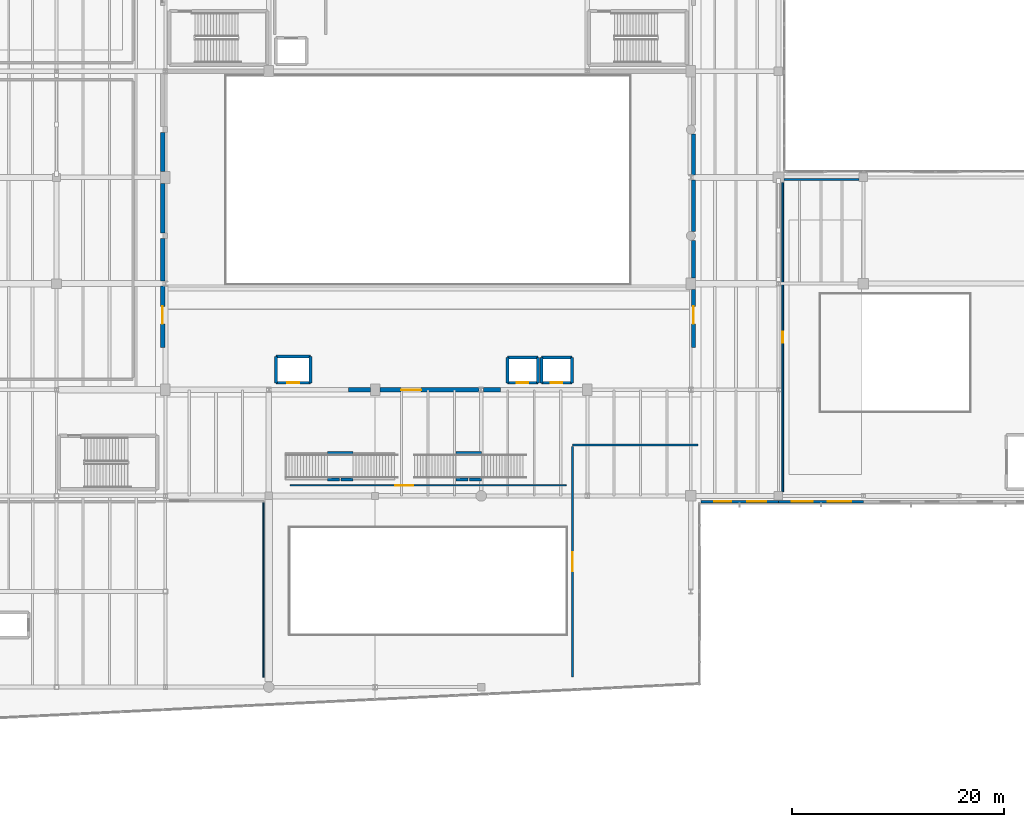
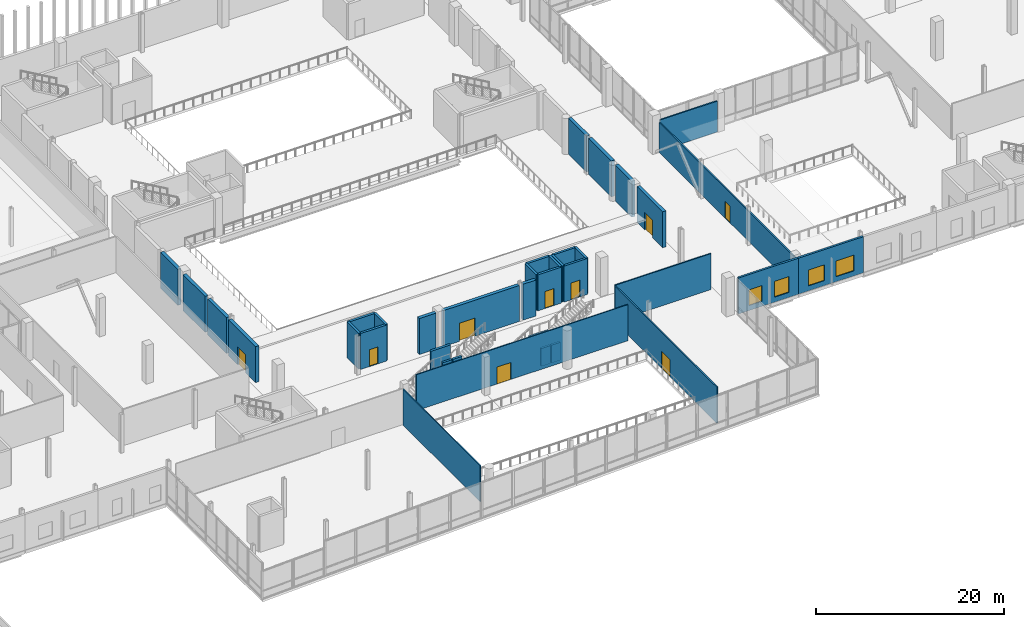
# One storey, part 60 of 81: 37 walls, 9 doors, 4 windows, 13 openings.
"""IFC4 building model written with IfcOpenShell, lengths in metres."""

from ifc_helpers import new_model, si_unit, direction, frame, frame_2d, origin, place, context, subcontext, project, spatial, rectangle, extrude, material, layer, layer_set, type_object, element, fill, save


model = new_model("IFC4")

# Units and contexts
model_context = context("Model", 3, precision=1e-05, world=origin(), true_north=direction((0.0, 1.0)))
body_context = subcontext(model_context, "Body", "Model", "MODEL_VIEW")
ifc_project = project(units=[si_unit("LENGTHUNIT", "METRE"), si_unit("AREAUNIT", "SQUARE_METRE"), si_unit("VOLUMEUNIT", "CUBIC_METRE"), si_unit("PLANEANGLEUNIT", "RADIAN"), si_unit("MASSUNIT", "GRAM", prefix="KILO")], contexts=[model_context])

# Site, building, storey
site_placement = place(None, origin())
site = spatial("IfcSite", under=ifc_project, at=site_placement, CompositionType="ELEMENT")
building_placement = place(site_placement, origin())
building = spatial("IfcBuilding", under=site, at=building_placement, Name="Trimount Lyric Opera House", CompositionType="ELEMENT")
storey_placement = place(building_placement, frame((0.0, 0.0, 5.0)))
storey = spatial("IfcBuildingStorey", under=building, at=storey_placement, Name="L01", CompositionType="ELEMENT", Elevation=5.0)

# Wall
ifc_material_1 = material(Name="Gypsum Board Partition")
ifc_layer_1 = layer(ifc_material_1, 0.1201171875)
ifc_layer_set_1 = layer_set([ifc_layer_1], Name="WL-PT120")
wall_type_1 = type_object("IfcWallType", Name="WL-PT120", PredefinedType="PARTITIONING", material=ifc_layer_set_1)
wall_1_placement = place(storey_placement, frame((73.5, 26.919921875, 0.0), z_axis=(0.0, 0.0, 1.0), x_axis=(0.0, 1.0, 0.0)))
element("IfcWall", 1, at=wall_1_placement, inside=storey, type_object=wall_type_1, Name="L01 Atrium Champagne Bar E partition", PredefinedType="PARTITIONING", context=body_context, shape_type="SweptSolid", body=[
    extrude(rectangle(XDim=16.4599609375, YDim=0.1201171875, at=frame_2d((8.22998046875, 0.0))), origin(), (0.0, 0.0, 1.0), 4.679931640625),
])

# Wall, opening, door
wall_2_placement = place(storey_placement, frame((102.0, 45.0, 0.0), z_axis=(0.0, 0.0, 1.0), x_axis=(-1.0, 0.0, 0.0)))
wall_2 = element("IfcWall", 2, at=wall_2_placement, inside=storey, type_object=wall_type_1, Name="L01 Parterre Overlook Gallery N partition", PredefinedType="PARTITIONING", context=body_context, shape_type="SweptSolid", body=[
    extrude(rectangle(XDim=26.0, YDim=0.1201171875, at=frame_2d((13.0, 0.0))), origin(), (0.0, 0.0, 1.0), 4.679931640625),
])
opening_1_placement = place(wall_2_placement, frame((14.389892578125, 0.0, 0.0)))
opening_1 = element("IfcOpeningElement", 3, at=opening_1_placement, cuts=wall_2, Name="Opening DT-COR2", PredefinedType="OPENING", context=body_context, shape_type="SweptSolid", body=[
    extrude(rectangle(XDim=1.699951171875, YDim=2.199951171875, at=frame_2d((0.85009765625, 1.10009765625))), frame((0.0, 0.070068359375, 0.0), z_axis=(0.0, -1.0, 0.0), x_axis=(1.0, 0.0, 0.0)), (0.0, 0.0, 1.0), 0.14013671875),
])
ifc_material_2 = material(Name="Solid Core White Oak")
door_type_1 = type_object("IfcDoorType", Name="DT-COR2", OperationType="DOUBLE_DOOR_SINGLE_SWING", PredefinedType="DOOR", material=ifc_material_2)
door_1_placement = place(opening_1_placement, origin())
door_1 = element("IfcDoor", 4, at=door_1_placement, inside=storey, type_object=door_type_1, Name="D-203", OperationType="DOUBLE_DOOR_SINGLE_SWING", OverallHeight=2.199951171875, OverallWidth=1.699951171875, PredefinedType="DOOR", context=body_context, shape_type="SweptSolid", body=[
    extrude(rectangle(XDim=1.699951171875, YDim=2.199951171875, at=frame_2d((0.85009765625, 1.10009765625))), frame((0.0, 0.02490234375, 0.0), z_axis=(0.0, -1.0, 0.0), x_axis=(1.0, 0.0, 0.0)), (0.0, 0.0, 1.0), 0.050048828125),
])
fill(opening_1, door_1)

# Wall
ifc_material_3 = material(Name="Fire-Rated Gypsum Board Partition")
ifc_layer_2 = layer(ifc_material_3, 0.14990234375)
ifc_layer_set_2 = layer_set([ifc_layer_2], Name="WL-PT150")
wall_type_2 = type_object("IfcWallType", Name="WL-PT150", PredefinedType="PARTITIONING", material=ifc_layer_set_2)
wall_3_placement = place(storey_placement, frame((114.39990234375, 48.800048828125, 0.0), z_axis=(0.0, 0.0, 1.0), x_axis=(-1.0, 0.0, 0.0)))
element("IfcWall", 5, at=wall_3_placement, inside=storey, type_object=wall_type_2, Name="L01 Founders' Patron Salon N partition", PredefinedType="PARTITIONING", context=body_context, shape_type="SweptSolid", body=[
    extrude(rectangle(XDim=11.7998046875, YDim=0.14990234375, at=frame_2d((5.89990234375, 0.0))), origin(), (0.0, 0.0, 1.0), 4.679931640625),
])

# Wall, opening, door
wall_4_placement = place(storey_placement, frame((102.60009765625, 48.64990234375, 0.0), z_axis=(0.0, 0.0, 1.0), x_axis=(0.0, -1.0, 0.0)))
wall_4 = element("IfcWall", 6, at=wall_4_placement, inside=storey, type_object=wall_type_2, Name="L01 Founders' Patron Salon W partition", PredefinedType="PARTITIONING", context=body_context, shape_type="SweptSolid", body=[
    extrude(rectangle(XDim=21.699951171875, YDim=0.14990234375, at=frame_2d((10.85009765625, 0.0))), origin(), (0.0, 0.0, 1.0), 4.679931640625),
])
opening_2_placement = place(wall_4_placement, frame((9.97509765625, 0.0, 0.0)))
opening_2 = element("IfcOpeningElement", 7, at=opening_2_placement, cuts=wall_4, Name="Opening DT-COR1", PredefinedType="OPENING", context=body_context, shape_type="SweptSolid", body=[
    extrude(rectangle(XDim=1.75, YDim=2.199951171875, at=frame_2d((0.875, 1.10009765625))), frame((0.0, 0.0849609375, 0.0), z_axis=(0.0, -1.0, 0.0), x_axis=(1.0, 0.0, 0.0)), (0.0, 0.0, 1.0), 0.169921875),
])
ifc_material_4 = material(Name="Fire-Rated Timber Veneer", Category="wood")
door_type_2 = type_object("IfcDoorType", Name="DT-COR1", OperationType="DOUBLE_DOOR_SINGLE_SWING", PredefinedType="DOOR", material=ifc_material_4)
door_2_placement = place(opening_2_placement, origin())
door_2 = element("IfcDoor", 8, at=door_2_placement, inside=storey, type_object=door_type_2, Name="D-196", OperationType="DOUBLE_DOOR_SINGLE_SWING", OverallHeight=2.199951171875, OverallWidth=1.75, PredefinedType="DOOR", context=body_context, shape_type="SweptSolid", body=[
    extrude(rectangle(XDim=1.75, YDim=2.199951171875, at=frame_2d((0.875, 1.10009765625))), frame((0.0, 0.02490234375, 0.0), z_axis=(0.0, -1.0, 0.0), x_axis=(1.0, 0.0, 0.0)), (0.0, 0.0, 1.0), 0.050048828125),
])
fill(opening_2, door_2)

# Wall
ifc_material_5 = material(Name="Acoustic Double-Stud Gypsum Board")
ifc_layer_3 = layer(ifc_material_5, 0.1650390625)
ifc_layer_set_3 = layer_set([ifc_layer_3], Name="WL-PT165")
wall_type_3 = type_object("IfcWallType", Name="WL-PT165", PredefinedType="PARTITIONING", material=ifc_layer_set_3)
wall_5_placement = place(storey_placement, frame((129.60009765625, 73.800048828125, 0.0), z_axis=(0.0, 0.0, 1.0), x_axis=(-1.0, 0.0, 0.0)))
element("IfcWall", 9, at=wall_5_placement, inside=storey, type_object=wall_type_3, Name="L01 Properties & Sculpture Workshop N partition", PredefinedType="PARTITIONING", context=body_context, shape_type="SweptSolid", body=[
    extrude(rectangle(XDim=7.10009765625, YDim=0.1650390625, at=frame_2d((3.550048828125, 0.0))), origin(), (0.0, 0.0, 1.0), 4.010009765625),
])

# Wall, opening, door
wall_6_placement = place(storey_placement, frame((122.39990234375, 73.5, 0.0), z_axis=(0.0, 0.0, 1.0), x_axis=(0.0, -1.0, 0.0)))
wall_6 = element("IfcWall", 10, at=wall_6_placement, inside=storey, type_object=wall_type_3, Name="L01 Properties & Sculpture Workshop W partition", PredefinedType="PARTITIONING", context=body_context, shape_type="SweptSolid", body=[
    extrude(rectangle(XDim=29.10009765625, YDim=0.1650390625, at=frame_2d((14.550048828125, 0.0))), origin(), (0.0, 0.0, 1.0), 3.909912109375),
])
opening_3_placement = place(wall_6_placement, frame((14.02490234375, 0.0, 0.0)))
opening_3 = element("IfcOpeningElement", 11, at=opening_3_placement, cuts=wall_6, Name="Opening DT-RM3", PredefinedType="OPENING", context=body_context, shape_type="SweptSolid", body=[
    extrude(rectangle(XDim=1.050048828125, YDim=2.199951171875, at=frame_2d((0.52490234375, 1.10009765625))), frame((0.0, 0.092529296875, 0.0), z_axis=(0.0, -1.0, 0.0), x_axis=(1.0, 0.0, 0.0)), (0.0, 0.0, 1.0), 0.18505859375),
])
ifc_material_6 = material(Name="Solid Core White Oak")
door_type_3 = type_object("IfcDoorType", Name="DT-RM3", OperationType="NOTDEFINED", PredefinedType="DOOR", material=ifc_material_6)
door_3_placement = place(opening_3_placement, origin())
door_3 = element("IfcDoor", 12, at=door_3_placement, inside=storey, type_object=door_type_3, Name="D-204", OperationType="SINGLE_SWING_RIGHT", OverallHeight=2.199951171875, OverallWidth=1.050048828125, PredefinedType="DOOR", context=body_context, shape_type="SweptSolid", body=[
    extrude(rectangle(XDim=1.050048828125, YDim=2.199951171875, at=frame_2d((0.52490234375, 1.10009765625))), frame((0.0, 0.02490234375, 0.0), z_axis=(0.0, -1.0, 0.0), x_axis=(1.0, 0.0, 0.0)), (0.0, 0.0, 1.0), 0.050048828125),
])
fill(opening_3, door_3)

# Walls
ifc_material_7 = material(Name="Concrete C40/50", Category="concrete")
ifc_layer_4 = layer(ifc_material_7, 0.280029296875)
ifc_layer_set_4 = layer_set([ifc_layer_4], Name="WL-SH280")
wall_type_4 = type_object("IfcWallType", Name="WL-SH280", PredefinedType="SHEAR", material=ifc_layer_set_4)
for number, where, z_axis, x_axis, name in (
    (13, (79.52001953125, 45.56494140625, 0.0), (0.0, 0.0, 1.0), (1.0, 0.0, 0.0), "Concourse Roof-Garden Gallery Stair L01 landing fin pier SL"),
    (14, (80.780029296875, 45.56494140625, 0.0), (0.0, 0.0, 1.0), (1.0, 0.0, 0.0), "Concourse Roof-Garden Gallery Stair L01 landing fin pier SR"),
):
    element("IfcWall", number, at=place(storey_placement, frame(where, z_axis=z_axis, x_axis=x_axis)), inside=storey, type_object=wall_type_4, Name=name, PredefinedType="SHEAR", context=body_context, shape_type="SweptSolid", body=[
        extrude(rectangle(XDim=1.139892578125, YDim=0.280029296875, at=frame_2d((0.56982421875, 0.0))), origin(), (0.0, 0.0, 1.0), 4.699951171875),
    ])
wall_7_placement = place(storey_placement, frame((79.52001953125, 48.034912109375, 0.0), z_axis=(0.0, 0.0, 1.0), x_axis=(1.0, 0.0, 0.0)))
element("IfcWall", 15, at=wall_7_placement, inside=storey, type_object=wall_type_4, Name="Concourse Roof-Garden Gallery Stair L01 landing fin pier N", PredefinedType="SHEAR", context=body_context, shape_type="SweptSolid", body=[
    extrude(rectangle(XDim=2.39990234375, YDim=0.280029296875, at=frame_2d((1.199951171875, 0.0))), origin(), (0.0, 0.0, 1.0), 4.699951171875),
])
wall_8_placement = place(storey_placement, frame((91.6201171875, 45.56494140625, 0.0), z_axis=(0.0, 0.0, 1.0), x_axis=(1.0, 0.0, 0.0)))
element("IfcWall", 16, at=wall_8_placement, inside=storey, type_object=wall_type_4, Name="Winter-Garden East Promenade Stair L01 landing fin pier SL", PredefinedType="SHEAR", context=body_context, shape_type="SweptSolid", body=[
    extrude(rectangle(XDim=1.139892578125, YDim=0.280029296875, at=frame_2d((0.56982421875, 0.0))), origin(), (0.0, 0.0, 1.0), 2.300048828125),
])
wall_9_placement = place(storey_placement, frame((92.8798828125, 45.56494140625, 0.0), z_axis=(0.0, 0.0, 1.0), x_axis=(1.0, 0.0, 0.0)))
element("IfcWall", 17, at=wall_9_placement, inside=storey, type_object=wall_type_4, Name="Winter-Garden East Promenade Stair L01 landing fin pier SR", PredefinedType="SHEAR", context=body_context, shape_type="SweptSolid", body=[
    extrude(rectangle(XDim=1.14013671875, YDim=0.280029296875, at=frame_2d((0.570068359375, 0.0))), origin(), (0.0, 0.0, 1.0), 2.300048828125),
])
wall_10_placement = place(storey_placement, frame((91.6201171875, 48.034912109375, 0.0), z_axis=(0.0, 0.0, 1.0), x_axis=(1.0, 0.0, 0.0)))
element("IfcWall", 18, at=wall_10_placement, inside=storey, type_object=wall_type_4, Name="Winter-Garden East Promenade Stair L01 landing fin pier N", PredefinedType="SHEAR", context=body_context, shape_type="SweptSolid", body=[
    extrude(rectangle(XDim=2.39990234375, YDim=0.280029296875, at=frame_2d((1.199951171875, 0.0))), origin(), (0.0, 0.0, 1.0), 2.300048828125),
])

# Wall, opening, door
wall_11_placement = place(storey_placement, frame((74.659912109375, 54.659912109375, 0.0), z_axis=(0.0, 0.0, 1.0), x_axis=(1.0, 0.0, 0.0)))
wall_11 = element("IfcWall", 19, at=wall_11_placement, inside=storey, type_object=wall_type_4, Name="Lift LF-02 L01 south shaft wall", PredefinedType="SHEAR", context=body_context, shape_type="SweptSolid", body=[
    extrude(rectangle(XDim=3.280029296875, YDim=0.280029296875, at=frame_2d((1.64013671875, 0.0))), origin(), (0.0, 0.0, 1.0), 4.675048828125),
])
opening_4_placement = place(wall_11_placement, frame((1.090087890625, 0.0, 0.0)))
opening_4 = element("IfcOpeningElement", 20, at=opening_4_placement, cuts=wall_11, Name="Opening DT-LD1", PredefinedType="OPENING", context=body_context, shape_type="SweptSolid", body=[
    extrude(rectangle(XDim=1.10009765625, YDim=2.199951171875, at=frame_2d((0.550048828125, 1.10009765625))), frame((0.0, 0.14990234375, 0.0), z_axis=(0.0, -1.0, 0.0), x_axis=(1.0, 0.0, 0.0)), (0.0, 0.0, 1.0), 0.300048828125),
])
ifc_material_8 = material(Name="Brushed Stainless Steel", Category="steel")
door_type_4 = type_object("IfcDoorType", Name="DT-LD1", OperationType="SLIDING_TO_LEFT", PredefinedType="DOOR", material=ifc_material_8)
door_4_placement = place(opening_4_placement, origin())
door_4 = element("IfcDoor", 21, at=door_4_placement, inside=storey, type_object=door_type_4, Name="D-075", OperationType="SLIDING_TO_LEFT", OverallHeight=2.199951171875, OverallWidth=1.10009765625, PredefinedType="DOOR", context=body_context, shape_type="SweptSolid", body=[
    extrude(rectangle(XDim=1.10009765625, YDim=2.199951171875, at=frame_2d((0.550048828125, 1.10009765625))), frame((0.0, 0.02490234375, 0.0), z_axis=(0.0, -1.0, 0.0), x_axis=(1.0, 0.0, 0.0)), (0.0, 0.0, 1.0), 0.050048828125),
])
fill(opening_4, door_4)

# Walls
wall_12_placement = place(storey_placement, frame((77.93994140625, 57.139892578125, 0.0), z_axis=(0.0, 0.0, 1.0), x_axis=(-1.0, 0.0, 0.0)))
element("IfcWall", 22, at=wall_12_placement, inside=storey, type_object=wall_type_4, Name="Lift LF-02 L01 north shaft wall", PredefinedType="SHEAR", context=body_context, shape_type="SweptSolid", body=[
    extrude(rectangle(XDim=3.280029296875, YDim=0.280029296875, at=frame_2d((1.64013671875, 0.0))), origin(), (0.0, 0.0, 1.0), 4.675048828125),
])
for number, where, z_axis, x_axis, name in (
    (23, (74.659912109375, 57.139892578125, 0.0), (0.0, 0.0, 1.0), (0.0, -1.0, 0.0), "Lift LF-02 L01 west shaft wall"),
    (24, (77.93994140625, 54.659912109375, 0.0), (0.0, 0.0, 1.0), (0.0, 1.0, 0.0), "Lift LF-02 L01 east shaft wall"),
):
    element("IfcWall", number, at=place(storey_placement, frame(where, z_axis=z_axis, x_axis=x_axis)), inside=storey, type_object=wall_type_4, Name=name, PredefinedType="SHEAR", context=body_context, shape_type="SweptSolid", body=[
        extrude(rectangle(XDim=2.47998046875, YDim=0.280029296875, at=frame_2d((1.239990234375, 0.0))), origin(), (0.0, 0.0, 1.0), 4.675048828125),
    ])

# Wall, opening, door
wall_13_placement = place(storey_placement, frame((96.4599609375, 54.659912109375, 0.0), z_axis=(0.0, 0.0, 1.0), x_axis=(1.0, 0.0, 0.0)))
wall_13 = element("IfcWall", 25, at=wall_13_placement, inside=storey, type_object=wall_type_4, Name="Lift LF-03 L01 south shaft wall", PredefinedType="SHEAR", context=body_context, shape_type="SweptSolid", body=[
    extrude(rectangle(XDim=2.880126953125, YDim=0.280029296875, at=frame_2d((1.43994140625, 0.0))), origin(), (0.0, 0.0, 1.0), 4.675048828125),
])
opening_5_placement = place(wall_13_placement, frame((0.889892578125, 0.0, 0.0)))
opening_5 = element("IfcOpeningElement", 26, at=opening_5_placement, cuts=wall_13, Name="Opening DT-LD1", PredefinedType="OPENING", context=body_context, shape_type="SweptSolid", body=[
    extrude(rectangle(XDim=1.10009765625, YDim=2.199951171875, at=frame_2d((0.550048828125, 1.10009765625))), frame((0.0, 0.14990234375, 0.0), z_axis=(0.0, -1.0, 0.0), x_axis=(1.0, 0.0, 0.0)), (0.0, 0.0, 1.0), 0.300048828125),
])
door_5_placement = place(opening_5_placement, origin())
door_5 = element("IfcDoor", 27, at=door_5_placement, inside=storey, type_object=door_type_4, Name="D-081", OperationType="SLIDING_TO_LEFT", OverallHeight=2.199951171875, OverallWidth=1.10009765625, PredefinedType="DOOR", context=body_context, shape_type="SweptSolid", body=[
    extrude(rectangle(XDim=1.10009765625, YDim=2.199951171875, at=frame_2d((0.550048828125, 1.10009765625))), frame((0.0, 0.02490234375, 0.0), z_axis=(0.0, -1.0, 0.0), x_axis=(1.0, 0.0, 0.0)), (0.0, 0.0, 1.0), 0.050048828125),
])
fill(opening_5, door_5)

# Walls
wall_14_placement = place(storey_placement, frame((99.340087890625, 57.0400390625, 0.0), z_axis=(0.0, 0.0, 1.0), x_axis=(-1.0, 0.0, 0.0)))
element("IfcWall", 28, at=wall_14_placement, inside=storey, type_object=wall_type_4, Name="Lift LF-03 L01 north shaft wall", PredefinedType="SHEAR", context=body_context, shape_type="SweptSolid", body=[
    extrude(rectangle(XDim=2.880126953125, YDim=0.280029296875, at=frame_2d((1.43994140625, 0.0))), origin(), (0.0, 0.0, 1.0), 4.675048828125),
])
for number, where, z_axis, x_axis, name in (
    (29, (96.4599609375, 57.0400390625, 0.0), (0.0, 0.0, 1.0), (0.0, -1.0, 0.0), "Lift LF-03 L01 west shaft wall"),
    (30, (99.340087890625, 54.659912109375, 0.0), (0.0, 0.0, 1.0), (0.0, 1.0, 0.0), "Lift LF-03 L01 east shaft wall"),
):
    element("IfcWall", number, at=place(storey_placement, frame(where, z_axis=z_axis, x_axis=x_axis)), inside=storey, type_object=wall_type_4, Name=name, PredefinedType="SHEAR", context=body_context, shape_type="SweptSolid", body=[
        extrude(rectangle(XDim=2.380126953125, YDim=0.280029296875, at=frame_2d((1.18994140625, 0.0))), origin(), (0.0, 0.0, 1.0), 4.675048828125),
    ])

# Wall, opening, door
wall_15_placement = place(storey_placement, frame((99.659912109375, 54.659912109375, 0.0), z_axis=(0.0, 0.0, 1.0), x_axis=(1.0, 0.0, 0.0)))
wall_15 = element("IfcWall", 31, at=wall_15_placement, inside=storey, type_object=wall_type_4, Name="Lift LF-04 L01 south shaft wall", PredefinedType="SHEAR", context=body_context, shape_type="SweptSolid", body=[
    extrude(rectangle(XDim=2.880126953125, YDim=0.280029296875, at=frame_2d((1.43994140625, 0.0))), origin(), (0.0, 0.0, 1.0), 4.675048828125),
])
opening_6_placement = place(wall_15_placement, frame((0.889892578125, 0.0, 0.0)))
opening_6 = element("IfcOpeningElement", 32, at=opening_6_placement, cuts=wall_15, Name="Opening DT-LD1", PredefinedType="OPENING", context=body_context, shape_type="SweptSolid", body=[
    extrude(rectangle(XDim=1.10009765625, YDim=2.199951171875, at=frame_2d((0.550048828125, 1.10009765625))), frame((0.0, 0.14990234375, 0.0), z_axis=(0.0, -1.0, 0.0), x_axis=(1.0, 0.0, 0.0)), (0.0, 0.0, 1.0), 0.300048828125),
])
door_6_placement = place(opening_6_placement, origin())
door_6 = element("IfcDoor", 33, at=door_6_placement, inside=storey, type_object=door_type_4, Name="D-087", OperationType="SLIDING_TO_LEFT", OverallHeight=2.199951171875, OverallWidth=1.10009765625, PredefinedType="DOOR", context=body_context, shape_type="SweptSolid", body=[
    extrude(rectangle(XDim=1.10009765625, YDim=2.199951171875, at=frame_2d((0.550048828125, 1.10009765625))), frame((0.0, 0.02490234375, 0.0), z_axis=(0.0, -1.0, 0.0), x_axis=(1.0, 0.0, 0.0)), (0.0, 0.0, 1.0), 0.050048828125),
])
fill(opening_6, door_6)

# Walls
wall_16_placement = place(storey_placement, frame((102.5400390625, 57.0400390625, 0.0), z_axis=(0.0, 0.0, 1.0), x_axis=(-1.0, 0.0, 0.0)))
element("IfcWall", 34, at=wall_16_placement, inside=storey, type_object=wall_type_4, Name="Lift LF-04 L01 north shaft wall", PredefinedType="SHEAR", context=body_context, shape_type="SweptSolid", body=[
    extrude(rectangle(XDim=2.880126953125, YDim=0.280029296875, at=frame_2d((1.43994140625, 0.0))), origin(), (0.0, 0.0, 1.0), 4.675048828125),
])
for number, where, z_axis, x_axis, name in (
    (35, (99.659912109375, 57.0400390625, 0.0), (0.0, 0.0, 1.0), (0.0, -1.0, 0.0), "Lift LF-04 L01 west shaft wall"),
    (36, (102.5400390625, 54.659912109375, 0.0), (0.0, 0.0, 1.0), (0.0, 1.0, 0.0), "Lift LF-04 L01 east shaft wall"),
):
    element("IfcWall", number, at=place(storey_placement, frame(where, z_axis=z_axis, x_axis=x_axis)), inside=storey, type_object=wall_type_4, Name=name, PredefinedType="SHEAR", context=body_context, shape_type="SweptSolid", body=[
        extrude(rectangle(XDim=2.380126953125, YDim=0.280029296875, at=frame_2d((1.18994140625, 0.0))), origin(), (0.0, 0.0, 1.0), 4.675048828125),
    ])

# Wall, opening, door
ifc_material_9 = material(Name="Concrete C40/50", Category="concrete")
ifc_layer_5 = layer(ifc_material_9, 0.39990234375)
ifc_layer_set_5 = layer_set([ifc_layer_5], Name="WL-SH400")
wall_type_5 = type_object("IfcWallType", Name="WL-SH400", PredefinedType="SHEAR", material=ifc_layer_set_5)
wall_17_placement = place(storey_placement, frame((64.0, 58.0, 0.0), z_axis=(0.0, 0.0, 1.0), x_axis=(0.0, 1.0, 0.0)))
wall_17 = element("IfcWall", 37, at=wall_17_placement, inside=storey, type_object=wall_type_5, Name="L01 auditorium west acoustic shear wall", PredefinedType="SHEAR", context=body_context, shape_type="SweptSolid", body=[
    extrude(rectangle(XDim=5.767578125, YDim=0.39990234375, at=frame_2d((2.8837890625, 0.0))), origin(), (0.0, 0.0, 1.0), 4.675048828125),
])
opening_7_placement = place(wall_17_placement, frame((2.199951171875, 0.0, 0.0)))
opening_7 = element("IfcOpeningElement", 38, at=opening_7_placement, cuts=wall_17, Name="Opening DT-AUD2", PredefinedType="OPENING", context=body_context, shape_type="SweptSolid", body=[
    extrude(rectangle(XDim=1.64990234375, YDim=2.300048828125, at=frame_2d((0.824951171875, 1.14990234375))), frame((0.0, 0.2099609375, 0.0), z_axis=(0.0, -1.0, 0.0), x_axis=(1.0, 0.0, 0.0)), (0.0, 0.0, 1.0), 0.419921875),
])
ifc_material_10 = material(Name="Solid White Oak Acoustic")
door_type_5 = type_object("IfcDoorType", Name="DT-AUD2", OperationType="DOUBLE_DOOR_SINGLE_SWING", PredefinedType="DOOR", material=ifc_material_10)
door_7_placement = place(opening_7_placement, origin())
door_7 = element("IfcDoor", 39, at=door_7_placement, inside=storey, type_object=door_type_5, Name="D-123", OperationType="DOUBLE_DOOR_SINGLE_SWING", OverallHeight=2.300048828125, OverallWidth=1.64990234375, PredefinedType="DOOR", context=body_context, shape_type="SweptSolid", body=[
    extrude(rectangle(XDim=1.64990234375, YDim=2.300048828125, at=frame_2d((0.824951171875, 1.14990234375))), frame((0.0, 0.02490234375, 0.0), z_axis=(0.0, -1.0, 0.0), x_axis=(1.0, 0.0, 0.0)), (0.0, 0.0, 1.0), 0.050048828125),
])
fill(opening_7, door_7)

# Walls
wall_18_placement = place(storey_placement, frame((64.0, 64.232421875, 0.0), z_axis=(0.0, 0.0, 1.0), x_axis=(0.0, 1.0, 0.0)))
element("IfcWall", 40, at=wall_18_placement, inside=storey, type_object=wall_type_5, Name="L01 auditorium west acoustic shear wall", PredefinedType="SHEAR", context=body_context, shape_type="SweptSolid", body=[
    extrude(rectangle(XDim=3.99267578125, YDim=0.39990234375, at=frame_2d((1.996337890625, 0.0))), origin(), (0.0, 0.0, 1.0), 4.675048828125),
])
wall_19_placement = place(storey_placement, frame((64.0, 68.77490234375, 0.0), z_axis=(0.0, 0.0, 1.0), x_axis=(0.0, 1.0, 0.0)))
element("IfcWall", 41, at=wall_19_placement, inside=storey, type_object=wall_type_5, Name="L01 auditorium west acoustic shear wall", PredefinedType="SHEAR", context=body_context, shape_type="SweptSolid", body=[
    extrude(rectangle(XDim=4.675048828125, YDim=0.39990234375, at=frame_2d((2.33740234375, 0.0))), origin(), (0.0, 0.0, 1.0), 4.675048828125),
])
wall_20_placement = place(storey_placement, frame((64.0, 74.550048828125, 0.0), z_axis=(0.0, 0.0, 1.0), x_axis=(0.0, 1.0, 0.0)))
element("IfcWall", 42, at=wall_20_placement, inside=storey, type_object=wall_type_5, Name="L01 auditorium west acoustic shear wall", PredefinedType="SHEAR", context=body_context, shape_type="SweptSolid", body=[
    extrude(rectangle(XDim=3.675048828125, YDim=0.39990234375, at=frame_2d((1.83740234375, 0.0))), origin(), (0.0, 0.0, 1.0), 4.675048828125),
])

# Wall, opening, door
wall_21_placement = place(storey_placement, frame((114.0, 58.0, 0.0), z_axis=(0.0, 0.0, 1.0), x_axis=(0.0, 1.0, 0.0)))
wall_21 = element("IfcWall", 43, at=wall_21_placement, inside=storey, type_object=wall_type_5, Name="L01 auditorium east acoustic shear wall", PredefinedType="SHEAR", context=body_context, shape_type="SweptSolid", body=[
    extrude(rectangle(XDim=5.449951171875, YDim=0.39990234375, at=frame_2d((2.72509765625, 0.0))), origin(), (0.0, 0.0, 1.0), 4.675048828125),
])
opening_8_placement = place(wall_21_placement, frame((2.199951171875, 0.0, 0.0)))
opening_8 = element("IfcOpeningElement", 44, at=opening_8_placement, cuts=wall_21, Name="Opening DT-AUD2", PredefinedType="OPENING", context=body_context, shape_type="SweptSolid", body=[
    extrude(rectangle(XDim=1.64990234375, YDim=2.300048828125, at=frame_2d((0.824951171875, 1.14990234375))), frame((0.0, 0.2099609375, 0.0), z_axis=(0.0, -1.0, 0.0), x_axis=(1.0, 0.0, 0.0)), (0.0, 0.0, 1.0), 0.419921875),
])
door_8_placement = place(opening_8_placement, origin())
door_8 = element("IfcDoor", 45, at=door_8_placement, inside=storey, type_object=door_type_5, Name="D-124", OperationType="DOUBLE_DOOR_SINGLE_SWING", OverallHeight=2.300048828125, OverallWidth=1.64990234375, PredefinedType="DOOR", context=body_context, shape_type="SweptSolid", body=[
    extrude(rectangle(XDim=1.64990234375, YDim=2.300048828125, at=frame_2d((0.824951171875, 1.14990234375))), frame((0.0, 0.02490234375, 0.0), z_axis=(0.0, -1.0, 0.0), x_axis=(1.0, 0.0, 0.0)), (0.0, 0.0, 1.0), 0.050048828125),
])
fill(opening_8, door_8)

# Walls
wall_22_placement = place(storey_placement, frame((114.0, 64.550048828125, 0.0), z_axis=(0.0, 0.0, 1.0), x_axis=(0.0, 1.0, 0.0)))
element("IfcWall", 46, at=wall_22_placement, inside=storey, type_object=wall_type_5, Name="L01 auditorium east acoustic shear wall", PredefinedType="SHEAR", context=body_context, shape_type="SweptSolid", body=[
    extrude(rectangle(XDim=3.52490234375, YDim=0.39990234375, at=frame_2d((1.762451171875, 0.0))), origin(), (0.0, 0.0, 1.0), 4.675048828125),
])
wall_23_placement = place(storey_placement, frame((114.0, 68.925048828125, 0.0), z_axis=(0.0, 0.0, 1.0), x_axis=(0.0, 1.0, 0.0)))
element("IfcWall", 47, at=wall_23_placement, inside=storey, type_object=wall_type_5, Name="L01 auditorium east acoustic shear wall", PredefinedType="SHEAR", context=body_context, shape_type="SweptSolid", body=[
    extrude(rectangle(XDim=4.842529296875, YDim=0.39990234375, at=frame_2d((2.42138671875, 0.0))), origin(), (0.0, 0.0, 1.0), 4.675048828125),
])
wall_24_placement = place(storey_placement, frame((114.0, 74.232421875, 0.0), z_axis=(0.0, 0.0, 1.0), x_axis=(0.0, 1.0, 0.0)))
element("IfcWall", 48, at=wall_24_placement, inside=storey, type_object=wall_type_5, Name="L01 auditorium east acoustic shear wall", PredefinedType="SHEAR", context=body_context, shape_type="SweptSolid", body=[
    extrude(rectangle(XDim=3.842529296875, YDim=0.39990234375, at=frame_2d((1.92138671875, 0.0))), origin(), (0.0, 0.0, 1.0), 4.675048828125),
])
wall_25_placement = place(storey_placement, frame((81.5, 54.0, 0.0), z_axis=(0.0, 0.0, 1.0), x_axis=(1.0, 0.0, 0.0)))
element("IfcWall", 49, at=wall_25_placement, inside=storey, type_object=wall_type_5, Name="L01 auditorium south acoustic lobby wall", PredefinedType="SHEAR", context=body_context, shape_type="SweptSolid", body=[
    extrude(rectangle(XDim=2.050048828125, YDim=0.39990234375, at=frame_2d((1.02490234375, 0.0))), origin(), (0.0, 0.0, 1.0), 4.675048828125),
])

# Wall, opening, door
wall_26_placement = place(storey_placement, frame((84.449951171875, 54.0, 0.0), z_axis=(0.0, 0.0, 1.0), x_axis=(1.0, 0.0, 0.0)))
wall_26 = element("IfcWall", 50, at=wall_26_placement, inside=storey, type_object=wall_type_5, Name="L01 auditorium south acoustic lobby wall", PredefinedType="SHEAR", context=body_context, shape_type="SweptSolid", body=[
    extrude(rectangle(XDim=9.339111328125, YDim=0.39990234375, at=frame_2d((4.66943359375, 0.0))), origin(), (0.0, 0.0, 1.0), 4.675048828125),
])
opening_9_placement = place(wall_26_placement, frame((2.0, 0.0, 0.0)))
opening_9 = element("IfcOpeningElement", 51, at=opening_9_placement, cuts=wall_26, Name="Opening DT-AUD1", PredefinedType="OPENING", context=body_context, shape_type="SweptSolid", body=[
    extrude(rectangle(XDim=1.89990234375, YDim=2.35009765625, at=frame_2d((0.949951171875, 1.175048828125))), frame((0.0, 0.2099609375, 0.0), z_axis=(0.0, -1.0, 0.0), x_axis=(1.0, 0.0, 0.0)), (0.0, 0.0, 1.0), 0.419921875),
])
ifc_material_11 = material(Name="Solid White Oak Acoustic")
door_type_6 = type_object("IfcDoorType", Name="DT-AUD1", OperationType="DOUBLE_DOOR_SINGLE_SWING", PredefinedType="DOOR", material=ifc_material_11)
door_9_placement = place(opening_9_placement, origin())
door_9 = element("IfcDoor", 52, at=door_9_placement, inside=storey, type_object=door_type_6, Name="D-122", OperationType="DOUBLE_DOOR_SINGLE_SWING", OverallHeight=2.35009765625, OverallWidth=1.89990234375, PredefinedType="DOOR", context=body_context, shape_type="SweptSolid", body=[
    extrude(rectangle(XDim=1.89990234375, YDim=2.35009765625, at=frame_2d((0.949951171875, 1.175048828125))), frame((0.0, 0.02490234375, 0.0), z_axis=(0.0, -1.0, 0.0), x_axis=(1.0, 0.0, 0.0)), (0.0, 0.0, 1.0), 0.050048828125),
])
fill(opening_9, door_9)

# Wall
wall_27_placement = place(storey_placement, frame((94.2109375, 54.0, 0.0), z_axis=(0.0, 0.0, 1.0), x_axis=(1.0, 0.0, 0.0)))
element("IfcWall", 53, at=wall_27_placement, inside=storey, type_object=wall_type_5, Name="L01 auditorium south acoustic lobby wall", PredefinedType="SHEAR", context=body_context, shape_type="SweptSolid", body=[
    extrude(rectangle(XDim=1.589111328125, YDim=0.39990234375, at=frame_2d((0.79443359375, 0.0))), origin(), (0.0, 0.0, 1.0), 4.675048828125),
])

# Wall, openings, windows
ifc_material_12 = material(Name="Concrete C35/45", Category="concrete")
ifc_layer_6 = layer(ifc_material_12, 0.25)
ifc_layer_set_6 = layer_set([ifc_layer_6], Name="WL-SW250")
wall_type_6 = type_object("IfcWallType", Name="WL-SW250", PredefinedType="SOLIDWALL", material=ifc_layer_set_6)
wall_28_placement = place(storey_placement, frame((130.0, 43.4599609375, 0.0), z_axis=(0.0, 0.0, 1.0), x_axis=(-1.0, 0.0, 0.0)))
wall_28 = element("IfcWall", 54, at=wall_28_placement, inside=storey, type_object=wall_type_6, Name="L01 exterior facade wall 152", PredefinedType="SOLIDWALL", context=body_context, shape_type="SweptSolid", body=[
    extrude(rectangle(XDim=8.0, YDim=0.25, at=frame_2d((4.0, 0.0))), origin(), (0.0, 0.0, 1.0), 4.679931640625),
])
opening_10_placement = place(wall_28_placement, frame((1.139892578125, 0.0, 0.64990234375)))
opening_10 = element("IfcOpeningElement", 55, at=opening_10_placement, cuts=wall_28, Name="Opening WT-09", PredefinedType="OPENING", context=body_context, shape_type="SweptSolid", body=[
    extrude(rectangle(XDim=2.199951171875, YDim=2.050048828125, at=frame_2d((1.10009765625, 1.02490234375))), frame((0.0, 0.135009765625, 0.0), z_axis=(0.0, -1.0, 0.0), x_axis=(1.0, 0.0, 0.0)), (0.0, 0.0, 1.0), 0.27001953125),
])
opening_11_placement = place(wall_28_placement, frame((4.760009765625, 0.0, 0.64990234375)))
opening_11 = element("IfcOpeningElement", 56, at=opening_11_placement, cuts=wall_28, Name="Opening WT-10", PredefinedType="OPENING", context=body_context, shape_type="SweptSolid", body=[
    extrude(rectangle(XDim=2.0, YDim=2.050048828125, at=frame_2d((1.0, 1.02490234375))), frame((0.0, 0.135009765625, 0.0), z_axis=(0.0, -1.0, 0.0), x_axis=(1.0, 0.0, 0.0)), (0.0, 0.0, 1.0), 0.27001953125),
])
ifc_material_13 = material(Name="Low-E Insulated Glazing in Bronze Frame", Category="glass")
window_type_1 = type_object("IfcWindowType", Name="WT-09", PartitioningType="DOUBLE_PANEL_VERTICAL", PredefinedType="WINDOW", material=ifc_material_13)
window_1_placement = place(opening_10_placement, origin())
window_1 = element("IfcWindow", 57, at=window_1_placement, inside=storey, type_object=window_type_1, Name="Window WT-09-0061", OverallHeight=2.050048828125, OverallWidth=2.199951171875, PartitioningType="SINGLE_PANEL", PredefinedType="WINDOW", context=body_context, shape_type="SweptSolid", body=[
    extrude(rectangle(XDim=2.199951171875, YDim=2.050048828125, at=frame_2d((1.10009765625, 1.02490234375))), frame((0.0, 0.030029296875, 0.0), z_axis=(0.0, -1.0, 0.0), x_axis=(1.0, 0.0, 0.0)), (0.0, 0.0, 1.0), 0.06005859375),
])
fill(opening_10, window_1)
ifc_material_14 = material(Name="Low-E Insulated Glazing in Bronze Frame", Category="glass")
window_type_2 = type_object("IfcWindowType", Name="WT-10", PartitioningType="DOUBLE_PANEL_VERTICAL", PredefinedType="WINDOW", material=ifc_material_14)
window_2_placement = place(opening_11_placement, origin())
window_2 = element("IfcWindow", 58, at=window_2_placement, inside=storey, type_object=window_type_2, Name="Window WT-10-0062", OverallHeight=2.050048828125, OverallWidth=2.0, PartitioningType="SINGLE_PANEL", PredefinedType="WINDOW", context=body_context, shape_type="SweptSolid", body=[
    extrude(rectangle(XDim=2.0, YDim=2.050048828125, at=frame_2d((1.0, 1.02490234375))), frame((0.0, 0.030029296875, 0.0), z_axis=(0.0, -1.0, 0.0), x_axis=(1.0, 0.0, 0.0)), (0.0, 0.0, 1.0), 0.06005859375),
])
fill(opening_11, window_2)

wall_29_placement = place(storey_placement, frame((122.0, 43.4599609375, 0.0), z_axis=(0.0, 0.0, 1.0), x_axis=(-1.0, 0.0, 0.0)))
wall_29 = element("IfcWall", 59, at=wall_29_placement, inside=storey, type_object=wall_type_6, Name="L01 exterior facade wall 153", PredefinedType="SOLIDWALL", context=body_context, shape_type="SweptSolid", body=[
    extrude(rectangle(XDim=7.320068359375, YDim=0.25, at=frame_2d((3.66015625, 0.0))), origin(), (0.0, 0.0, 1.0), 4.679931640625),
])
opening_12_placement = place(wall_29_placement, frame((1.149658203125, 0.0, 0.64990234375)))
opening_12 = element("IfcOpeningElement", 60, at=opening_12_placement, cuts=wall_29, Name="Opening WT-11", PredefinedType="OPENING", context=body_context, shape_type="SweptSolid", body=[
    extrude(rectangle(XDim=1.800048828125, YDim=2.050048828125, at=frame_2d((0.89990234375, 1.02490234375))), frame((0.0, 0.135009765625, 0.0), z_axis=(0.0, -1.0, 0.0), x_axis=(1.0, 0.0, 0.0)), (0.0, 0.0, 1.0), 0.27001953125),
])
opening_13_placement = place(wall_29_placement, frame((4.470458984375, 0.0, 0.64990234375)))
opening_13 = element("IfcOpeningElement", 61, at=opening_13_placement, cuts=wall_29, Name="Opening WT-12", PredefinedType="OPENING", context=body_context, shape_type="SweptSolid", body=[
    extrude(rectangle(XDim=1.60009765625, YDim=2.050048828125, at=frame_2d((0.800048828125, 1.02490234375))), frame((0.0, 0.135009765625, 0.0), z_axis=(0.0, -1.0, 0.0), x_axis=(1.0, 0.0, 0.0)), (0.0, 0.0, 1.0), 0.27001953125),
])
ifc_material_15 = material(Name="Low-E Insulated Glazing in Bronze Frame", Category="glass")
window_type_3 = type_object("IfcWindowType", Name="WT-11", PartitioningType="DOUBLE_PANEL_VERTICAL", PredefinedType="WINDOW", material=ifc_material_15)
window_3_placement = place(opening_12_placement, origin())
window_3 = element("IfcWindow", 62, at=window_3_placement, inside=storey, type_object=window_type_3, Name="Window WT-11-0063", OverallHeight=2.050048828125, OverallWidth=1.800048828125, PartitioningType="SINGLE_PANEL", PredefinedType="WINDOW", context=body_context, shape_type="SweptSolid", body=[
    extrude(rectangle(XDim=1.800048828125, YDim=2.050048828125, at=frame_2d((0.89990234375, 1.02490234375))), frame((0.0, 0.030029296875, 0.0), z_axis=(0.0, -1.0, 0.0), x_axis=(1.0, 0.0, 0.0)), (0.0, 0.0, 1.0), 0.06005859375),
])
fill(opening_12, window_3)
ifc_material_16 = material(Name="Low-E Insulated Glazing in Bronze Frame", Category="glass")
window_type_4 = type_object("IfcWindowType", Name="WT-12", PartitioningType="SINGLE_PANEL", PredefinedType="WINDOW", material=ifc_material_16)
window_4_placement = place(opening_13_placement, origin())
window_4 = element("IfcWindow", 63, at=window_4_placement, inside=storey, type_object=window_type_4, Name="Window WT-12-0064", OverallHeight=2.050048828125, OverallWidth=1.60009765625, PartitioningType="SINGLE_PANEL", PredefinedType="WINDOW", context=body_context, shape_type="SweptSolid", body=[
    extrude(rectangle(XDim=1.60009765625, YDim=2.050048828125, at=frame_2d((0.800048828125, 1.02490234375))), frame((0.0, 0.030029296875, 0.0), z_axis=(0.0, -1.0, 0.0), x_axis=(1.0, 0.0, 0.0)), (0.0, 0.0, 1.0), 0.06005859375),
])
fill(opening_13, window_4)

save(model, "model.ifc")
